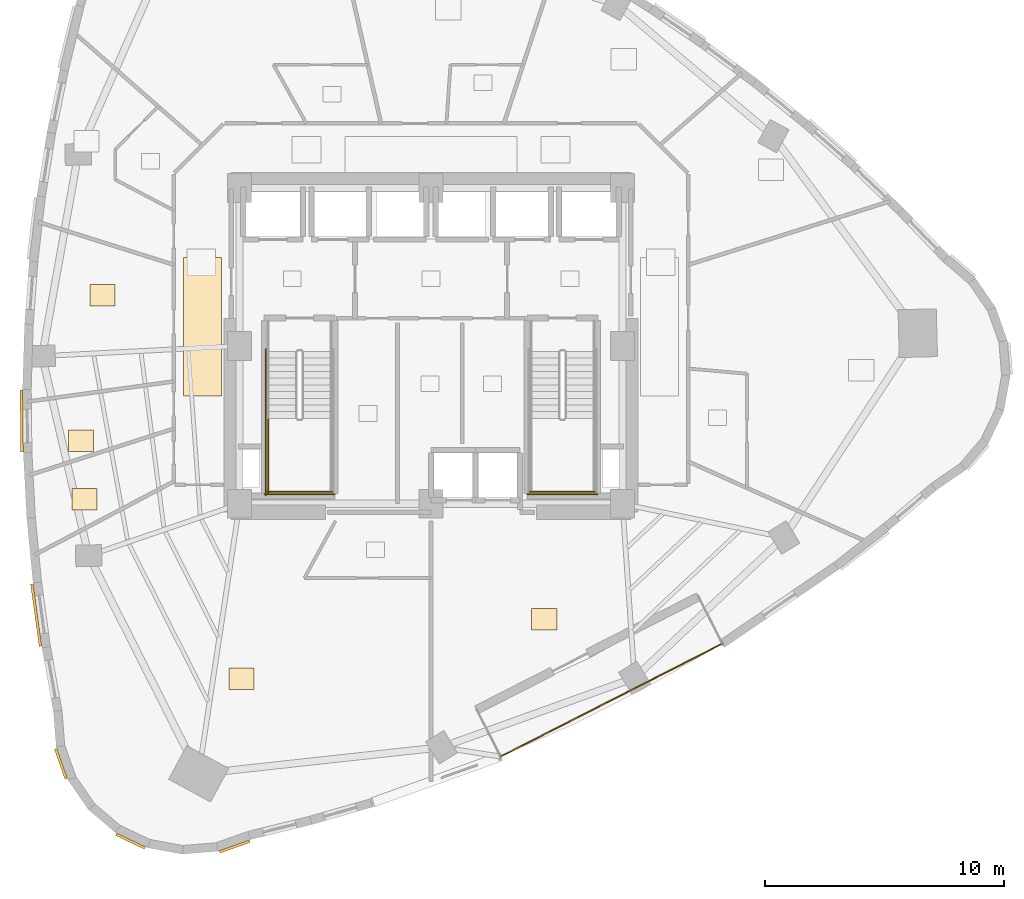
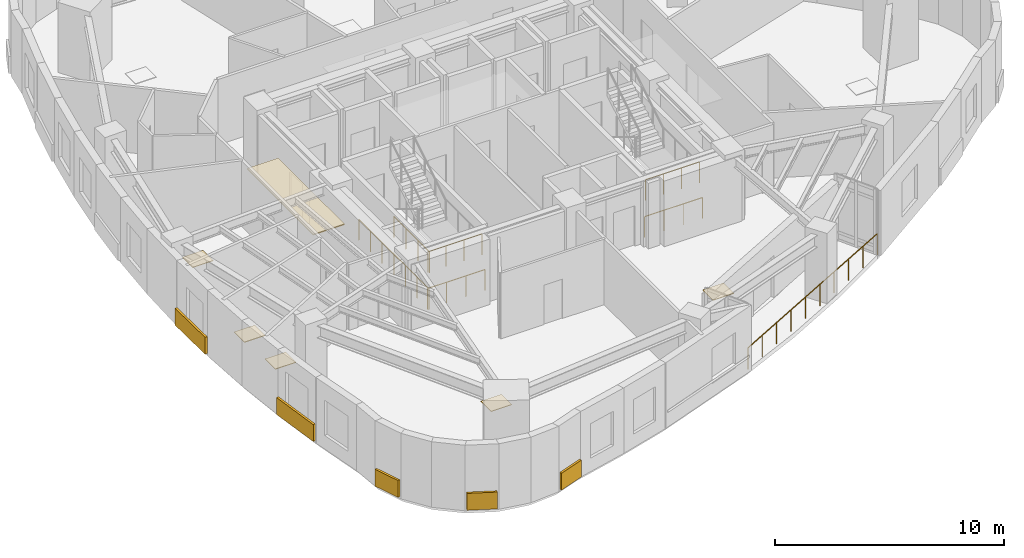
# One storey, part 9 of 11: 11 coverings, 7 railings.
"""IFC4 building model written with IfcOpenShell, lengths in metres."""

import ifcopenshell
import ifcopenshell.guid

model = None  # the IFC model being written
_history = None  # IfcOwnerHistory: only IFC2X3 demands one
_inside = {}  # id of a spatial element -> (the spatial element, [elements in it])
_under = {}  # id of a project, library or spatial element -> (it, [spatial elements below it])
_declared = {}  # id of a project -> (the project, [libraries it declares])
_typed = {}  # id of a type object -> (the type object, [elements of that type])
_made_of = {}  # id of a material, layer set ... -> (it, [elements and type objects made of it])


def new_model(schema):
    """Start an empty IFC model of exactly this schema.

    Asked for "IFC4X3", IfcOpenShell would pick the latest addendum, in which some entities
    have other attributes; the version numbers below select the first issue.
    IFC2X3 requires an IfcOwnerHistory on every rooted entity: one is made here for all.
    """
    global model, _history
    if schema == "IFC4X3":
        model = ifcopenshell.file(schema_version=(4, 3, 0, 0))
    else:
        model = ifcopenshell.file(schema=schema)
    _inside.clear()
    _under.clear()
    _declared.clear()
    _typed.clear()
    _made_of.clear()
    _history = None
    if model.schema == "IFC2X3":
        org = make("IfcOrganization", Name="unknown")
        user = make(
            "IfcPersonAndOrganization",
            ThePerson=make("IfcPerson", FamilyName="unknown"),
            TheOrganization=org,
        )
        app = make(
            "IfcApplication",
            ApplicationDeveloper=org,
            Version="unknown",
            ApplicationFullName="unknown",
            ApplicationIdentifier="unknown",
        )
        _history = make(
            "IfcOwnerHistory",
            OwningUser=user,
            OwningApplication=app,
            ChangeAction="ADDED",
            CreationDate=0,
        )
    return model


def make(cls, **values):
    """One entity of the class cls with the attributes given. An attribute that is None is left unset."""
    return model.create_entity(
        cls, **{name: value for name, value in values.items() if value is not None}
    )


def rooted(cls, **values):
    """An entity with a GlobalId (a new one), such as an element, a storey or a relation."""
    return make(cls, GlobalId=ifcopenshell.guid.new(), OwnerHistory=_history, **values)


def si_unit(unit_type, name, prefix=None):
    """IfcSIUnit, for example si_unit("LENGTHUNIT", "METRE", prefix="MILLI")."""
    return make("IfcSIUnit", UnitType=unit_type, Prefix=prefix, Name=name)


def assignment(units):
    """IfcUnitAssignment: the units of a project."""
    return None if units is None else make("IfcUnitAssignment", Units=units)


def point(xyz):
    """IfcCartesianPoint."""
    return None if xyz is None else make("IfcCartesianPoint", Coordinates=xyz)


def direction(xyz):
    """IfcDirection."""
    return None if xyz is None else make("IfcDirection", DirectionRatios=xyz)


def frame(location, z_axis=None, x_axis=None):
    """IfcAxis2Placement3D, a coordinate frame: its origin and axes. An axis left out is left unset."""
    return make(
        "IfcAxis2Placement3D",
        Location=point(location),
        Axis=direction(z_axis),
        RefDirection=direction(x_axis),
    )


def frame_2d(location, x_axis=None):
    """IfcAxis2Placement2D, a coordinate frame in the plane: its origin and x axis."""
    return make(
        "IfcAxis2Placement2D", Location=point(location), RefDirection=direction(x_axis)
    )


def origin():
    """The frame at (0, 0, 0) with its axes left unset."""
    return frame((0.0, 0.0, 0.0))


def origin_2d():
    """The frame at (0, 0) in the plane with its x axis left unset."""
    return frame_2d((0.0, 0.0))


def place(relative_to, where):
    """IfcLocalPlacement: puts the frame where relative to a parent placement (None: the world)."""
    return make(
        "IfcLocalPlacement", PlacementRelTo=relative_to, RelativePlacement=where
    )


def context(
    kind, dimensions, precision=None, world=None, true_north=None, identifier=None
):
    """IfcGeometricRepresentationContext, for example the 3D "Model" context."""
    return make(
        "IfcGeometricRepresentationContext",
        ContextIdentifier=identifier,
        ContextType=kind,
        CoordinateSpaceDimension=dimensions,
        Precision=precision,
        WorldCoordinateSystem=world,
        TrueNorth=true_north,
    )


def subcontext(parent, identifier, kind, view, scale=None):
    """IfcGeometricRepresentationSubContext, for example "Body" below "Model"."""
    return make(
        "IfcGeometricRepresentationSubContext",
        ContextIdentifier=identifier,
        ContextType=kind,
        ParentContext=parent,
        TargetScale=scale,
        TargetView=view,
    )


def project(units=None, contexts=None):
    """IfcProject with its units and contexts."""
    return rooted(
        "IfcProject",
        Name="project",
        RepresentationContexts=contexts,
        UnitsInContext=assignment(units),
    )


def spatial(cls, under=None, at=None, **own):
    """A site, building, storey or space (cls), placed at a placement, below another one or the project."""
    s = rooted(cls, ObjectPlacement=at, **own)
    if under is not None:
        _under.setdefault(under.id(), (under, []))[1].append(s)
    return s


def profile(cls, at=None, kind="AREA", **sizes):
    """A parametric profile (cls). Its sizes go by their IFC names, for example OverallWidth=200.0."""
    return make(cls, ProfileType=kind, Position=at, **sizes)


def rectangle(**sizes):
    """IfcRectangleProfileDef."""
    return profile("IfcRectangleProfileDef", **sizes)


def circle(**sizes):
    """IfcCircleProfileDef."""
    return profile("IfcCircleProfileDef", **sizes)


def extrude(swept, where, along, depth):
    """IfcExtrudedAreaSolid: the profile swept, set in the frame where, extruded along a direction by depth."""
    return make(
        "IfcExtrudedAreaSolid",
        SweptArea=swept,
        Position=where,
        ExtrudedDirection=direction(along),
        Depth=depth,
    )


def shape(context_of_items, identifier, shape_type, items):
    """IfcShapeRepresentation: the items that make up one representation, for example the "Body"."""
    return make(
        "IfcShapeRepresentation",
        ContextOfItems=context_of_items,
        RepresentationIdentifier=identifier,
        RepresentationType=shape_type,
        Items=items,
    )


def material(Name=None, Category=None):
    """IfcMaterial."""
    return make("IfcMaterial", Name=Name, Category=Category)


def layer(
    of_material, thickness, ventilated=None, Name=None, Category=None, Priority=None
):
    """IfcMaterialLayer: one layer of a wall or slab, of a material (None: an air gap)."""
    return make(
        "IfcMaterialLayer",
        Material=of_material,
        LayerThickness=thickness,
        IsVentilated=ventilated,
        Name=Name,
        Category=Category,
        Priority=Priority,
    )


def layer_set(layers, Name=None):
    """IfcMaterialLayerSet."""
    return make("IfcMaterialLayerSet", MaterialLayers=layers, LayerSetName=Name)


def made_of(thing, what):
    """Note that an element or type object is made of a material, layer set ...; save() writes the relation."""
    if what is not None:
        _made_of.setdefault(what.id(), (what, []))[1].append(thing)
    return thing


def type_object(cls, material=None, **own):
    """A type object (cls), such as IfcWallType, which elements share."""
    return made_of(rooted(cls, **own), material)


def element(
    cls,
    number,
    at=None,
    inside=None,
    cuts=None,
    type_object=None,
    material=None,
    context=None,
    identifier="Body",
    shape_type=None,
    held_by="IfcProductDefinitionShape",
    body=None,
    shapes=None,
    **own,
):
    """One element of the class cls, such as IfcWall. Its Tag is "e" and its number.

    at: its placement. inside: the storey or other place that contains it. cuts: it is an
    opening in that element (IfcRelVoidsElement). A single representation is given by context,
    identifier, shape_type and body (its items); several are given by shapes. held_by: the class
    of the entity that holds the representations. save() writes the other relations.
    """
    e = rooted(cls, Tag="e%d" % number, ObjectPlacement=at, **own)
    if body is not None:
        shapes = [shape(context, identifier, shape_type, body)]
    if shapes is not None:
        e.Representation = make(held_by, Representations=shapes)
    if inside is not None:
        _inside.setdefault(inside.id(), (inside, []))[1].append(e)
    if cuts is not None:
        rooted(
            "IfcRelVoidsElement", RelatingBuildingElement=cuts, RelatedOpeningElement=e
        )
    if type_object is not None:
        _typed.setdefault(type_object.id(), (type_object, []))[1].append(e)
    return made_of(e, material)


def aggregate(whole, parts):
    """IfcRelAggregates: a whole, such as a stair, and the parts it consists of."""
    return rooted("IfcRelAggregates", RelatingObject=whole, RelatedObjects=parts)


def save(model, path):
    """Write the relations noted so far, then the file.

    IfcRelAggregates (storeys below a building ...), IfcRelContainedInSpatialStructure (elements
    in a storey), IfcRelDefinesByType, IfcRelAssociatesMaterial and IfcRelDeclares: one each for
    every whole, place, type object, material and project.
    """
    for whole, parts in _under.values():
        aggregate(whole, parts)
    for where, things in _inside.values():
        rooted(
            "IfcRelContainedInSpatialStructure",
            RelatedElements=things,
            RelatingStructure=where,
        )
    for kind, things in _typed.values():
        rooted("IfcRelDefinesByType", RelatedObjects=things, RelatingType=kind)
    for what, things in _made_of.values():
        rooted("IfcRelAssociatesMaterial", RelatedObjects=things, RelatingMaterial=what)
    for by, libraries in _declared.values():
        rooted("IfcRelDeclares", RelatingContext=by, RelatedDefinitions=libraries)
    model.write(path)


model = new_model("IFC4")

# Units and contexts
model_context = context("Model", 3, precision=1e-05, world=origin(), true_north=direction((0.0, 1.0)))
body_context = subcontext(model_context, "Body", "Model", "MODEL_VIEW")
ifc_project = project(units=[si_unit("LENGTHUNIT", "METRE"), si_unit("AREAUNIT", "SQUARE_METRE"), si_unit("VOLUMEUNIT", "CUBIC_METRE"), si_unit("PLANEANGLEUNIT", "RADIAN"), si_unit("MASSUNIT", "GRAM", prefix="KILO")], contexts=[model_context])

# Site, building, storey
site_placement = place(None, origin())
site = spatial("IfcSite", under=ifc_project, at=site_placement, CompositionType="ELEMENT")
building_placement = place(site_placement, origin())
building = spatial("IfcBuilding", under=site, at=building_placement, Name="Ndelora Gate Hotel", CompositionType="ELEMENT")
storey_placement = place(building_placement, frame((0.0, 0.0, 108.5)))
storey = spatial("IfcBuildingStorey", under=building, at=storey_placement, Name="L26", CompositionType="ELEMENT", Elevation=108.5)

# Coverings
ifc_material_1 = material(Name="Perforated Acoustic Gypsum Board", Category="gypsum")
ifc_layer_1 = layer(ifc_material_1, 0.054931640625)
ifc_layer_set_1 = layer_set([ifc_layer_1], Name="Perforated Acoustic Gypsum Board")
covering_type_1 = type_object("IfcCoveringType", Name="COV-CEIL-AC60", PredefinedType="CEILING", material=ifc_layer_set_1)
covering_1_placement = place(storey_placement, frame((-9.550048828125, 0.800048828125, 2.65234375), z_axis=(0.0, 0.0, 1.0), x_axis=(1.0, 0.0, 0.0)))
element("IfcCovering", 1, at=covering_1_placement, inside=storey, type_object=covering_type_1, Name="L26 Guest Corridor Acoustic Ceiling W", PredefinedType="CEILING", context=body_context, shape_type="SweptSolid", body=[
    extrude(rectangle(XDim=1.580078125, YDim=5.800048828125, at=origin_2d()), origin(), (0.0, 0.0, 1.0), 0.054931640625),
])
ifc_material_2 = material(Name="Terracotta Fired Clay Brick Slip Cladding", Category="masonry")
ifc_layer_2 = layer(ifc_material_2, 0.110107421875)
ifc_layer_set_2 = layer_set([ifc_layer_2], Name="Terracotta Fired Clay Brick Slip Cladding")
covering_type_2 = type_object("IfcCoveringType", Name="COV-CLAD-BRK", PredefinedType="CLADDING", material=ifc_layer_set_2)
covering_2_placement = place(storey_placement, frame((-17.108642578125, -3.14208984375, 0.10009765625), z_axis=(0.0, 0.0, 1.0), x_axis=(-0.011344396795, 0.99993565026, 0.0)))
element("IfcCovering", 2, at=covering_2_placement, inside=storey, type_object=covering_type_2, Name="L26 Rounded-Corner Brick Cladding Band 16", PredefinedType="CLADDING", context=body_context, shape_type="SweptSolid", body=[
    extrude(rectangle(XDim=2.583984375, YDim=0.110107421875, at=origin_2d()), origin(), (0.0, 0.0, 1.0), 0.89990234375),
])
covering_3_placement = place(storey_placement, frame((-16.503662109375, -11.250732421875, 0.10009765625), z_axis=(0.0, 0.0, 1.0), x_axis=(-0.136234308163, 0.990676644158, 0.0)))
element("IfcCovering", 3, at=covering_3_placement, inside=storey, type_object=covering_type_2, Name="L26 Rounded-Corner Brick Cladding Band 19", PredefinedType="CLADDING", context=body_context, shape_type="SweptSolid", body=[
    extrude(rectangle(XDim=2.6279296875, YDim=0.110107421875, at=origin_2d()), origin(), (0.0, 0.0, 1.0), 0.89990234375),
])
for number, where, z_axis, x_axis, name in (
    (4, (-15.468994140625, -17.464111328125, 0.10009765625), (0.0, 0.0, 1.0), (-0.333806859234, 0.942641491092, 0.0), "L26 Rounded-Corner Brick Cladding Band 22"),
    (5, (-12.556884765625, -20.698486328125, 0.10009765625), (0.0, 0.0, 1.0), (-0.90258528435, 0.430511096808, 0.0), "L26 Rounded-Corner Brick Cladding Band 25"),
    (6, (-8.21044921875, -20.92626953125, 0.10009765625), (0.0, 0.0, 1.0), (0.942641491092, 0.333806859234, 0.0), "L26 Rounded-Corner Brick Cladding Band 28"),
):
    element("IfcCovering", number, at=place(storey_placement, frame(where, z_axis=z_axis, x_axis=x_axis)), inside=storey, type_object=covering_type_2, Name=name, PredefinedType="CLADDING", context=body_context, shape_type="SweptSolid", body=[
        extrude(rectangle(XDim=1.3359375, YDim=0.110107421875, at=origin_2d()), origin(), (0.0, 0.0, 1.0), 0.89990234375),
    ])
ifc_material_3 = material(Name="Engineered Highland Oak Parquet", Category="wood")
ifc_layer_3 = layer(ifc_material_3, 0.030029296875)
ifc_layer_set_3 = layer_set([ifc_layer_3], Name="Engineered Highland Oak Parquet")
covering_type_3 = type_object("IfcCoveringType", Name="COV-FLR-PARQ", PredefinedType="FLOORING", material=ifc_layer_set_3)
for number, where, z_axis, x_axis, name in (
    (7, (-7.922119140625, -13.91748046875, 0.0), (0.0, 0.0, 1.0), (1.0, 0.0, 0.0), "L26 Club Executive Suite 2901 Oak Parquet Flooring"),
    (8, (4.731201171875, -11.42529296875, 0.0), (0.0, 0.0, 1.0), (1.0, 0.0, 0.0), "L26 Sky Garden Tea Dining Room Oak Parquet Flooring"),
    (9, (-13.73291015625, 2.12060546875, 0.0), (0.0, 0.0, 1.0), (1.0, 0.0, 0.0), "L26 Club Study Office Oak Parquet Flooring"),
    (10, (-14.625244140625, -3.95458984375, 0.0), (0.0, 0.0, 1.0), (1.0, 0.0, 0.0), "L26 Housekeeping and Linen Room Oak Parquet Flooring"),
    (11, (-14.4765625, -6.40625, 0.0), (0.0, 0.0, 1.0), (1.0, 0.0, 0.0), "L26 Accessible WC Oak Parquet Flooring"),
):
    element("IfcCovering", number, at=place(storey_placement, frame(where, z_axis=z_axis, x_axis=x_axis)), inside=storey, type_object=covering_type_3, Name=name, PredefinedType="FLOORING", context=body_context, shape_type="SweptSolid", body=[
        extrude(rectangle(XDim=1.050048828125, YDim=0.89990234375, at=origin_2d()), origin(), (0.0, 0.0, 1.0), 0.030029296875),
    ])

# Railings
ifc_material_4 = material(Name="Laminated Safety Glass and Bronze Top Rail", Category="glass")
ifc_layer_4 = layer(ifc_material_4, 0.070068359375)
ifc_layer_set_4 = layer_set([ifc_layer_4], Name="Laminated Safety Glass and Bronze Top Rail")
railing_type_1 = type_object("IfcRailingType", Name="RL-BAL-1150", PredefinedType="BALUSTRADE", material=ifc_layer_set_4)
railing_1_placement = place(storey_placement, frame((2.91015625, -17.165283203125, 0.0)))
element("IfcRailing", 12, at=railing_1_placement, inside=storey, type_object=railing_type_1, Name="L26 Sky-Garden Loggia Terrace Balustrade", PredefinedType="BALUSTRADE", context=body_context, shape_type="SweptSolid", body=[
    extrude(circle(Radius=0.02392578125, at=origin_2d()), frame((0.0, 0.0, 1.1357421875), z_axis=(0.891006889171, 0.453989783419, 0.0), x_axis=(-0.453989783419, 0.891006889171, 0.0)), (0.0, 0.0, 1.0), 10.39990234375),
    extrude(circle(Radius=0.02099609375, at=origin_2d()), origin(), (0.0, 0.0, 1.0), 1.11181640625),
    extrude(circle(Radius=0.02099609375, at=origin_2d()), frame((1.029541015625, 0.524658203125, 0.0)), (0.0, 0.0, 1.0), 1.11181640625),
    extrude(circle(Radius=0.02099609375, at=origin_2d()), frame((2.05908203125, 1.04931640625, 0.0)), (0.0, 0.0, 1.0), 1.11181640625),
    extrude(circle(Radius=0.02099609375, at=origin_2d()), frame((3.0888671875, 1.57373046875, 0.0)), (0.0, 0.0, 1.0), 1.11181640625),
    extrude(circle(Radius=0.02099609375, at=origin_2d()), frame((4.118408203125, 2.098388671875, 0.0)), (0.0, 0.0, 1.0), 1.11181640625),
    extrude(circle(Radius=0.02099609375, at=origin_2d()), frame((5.14794921875, 2.623046875, 0.0)), (0.0, 0.0, 1.0), 1.11181640625),
    extrude(circle(Radius=0.02099609375, at=origin_2d()), frame((6.177490234375, 3.147705078125, 0.0)), (0.0, 0.0, 1.0), 1.11181640625),
    extrude(circle(Radius=0.02099609375, at=origin_2d()), frame((7.207275390625, 3.672119140625, 0.0)), (0.0, 0.0, 1.0), 1.11181640625),
    extrude(circle(Radius=0.02099609375, at=origin_2d()), frame((8.23681640625, 4.19677734375, 0.0)), (0.0, 0.0, 1.0), 1.11181640625),
    extrude(circle(Radius=0.02099609375, at=origin_2d()), frame((9.266357421875, 4.721435546875, 0.0)), (0.0, 0.0, 1.0), 1.11181640625),
])
ifc_material_5 = material(Name="Painted Galvanized Steel Balustrade", Category="steel")
ifc_layer_5 = layer(ifc_material_5, 0.06005859375)
ifc_layer_set_5 = layer_set([ifc_layer_5], Name="Painted Galvanized Steel Balustrade")
railing_type_2 = type_object("IfcRailingType", Name="RL-STAIR-GD", PredefinedType="GUARDRAIL", material=ifc_layer_set_5)
railing_2_placement = place(storey_placement, frame((-6.800048828125, -3.030029296875, 1.875)))
element("IfcRailing", 13, at=railing_2_placement, inside=storey, type_object=railing_type_2, Name="L26 ST4 stair guard 3", PredefinedType="GUARDRAIL", context=body_context, shape_type="SweptSolid", body=[
    extrude(circle(Radius=0.02392578125, at=origin_2d()), frame((0.0, 0.0, 1.10595703125), z_axis=(0.0, -1.0, 0.0), x_axis=(1.0, 0.0, 0.0)), (0.0, 0.0, 1.0), 3.119873046875),
    extrude(circle(Radius=0.02099609375, at=origin_2d()), origin(), (0.0, 0.0, 1.0), 1.081787109375),
    extrude(circle(Radius=0.02099609375, at=origin_2d()), frame((0.0, -1.0400390625, 0.0)), (0.0, 0.0, 1.0), 1.081787109375),
    extrude(circle(Radius=0.02099609375, at=origin_2d()), frame((0.0, -2.079833984375, 0.0)), (0.0, 0.0, 1.0), 1.081787109375),
    extrude(circle(Radius=0.02099609375, at=origin_2d()), frame((0.0, -3.119873046875, 0.0)), (0.0, 0.0, 1.0), 1.081787109375),
])
railing_3_placement = place(storey_placement, frame((-6.85009765625, -6.10009765625, 1.875)))
element("IfcRailing", 14, at=railing_3_placement, inside=storey, type_object=railing_type_2, Name="L26 ST4 stair guard 5", PredefinedType="GUARDRAIL", context=body_context, shape_type="SweptSolid", body=[
    extrude(circle(Radius=0.02392578125, at=origin_2d()), frame((0.0, 0.0, 1.10595703125), z_axis=(1.0, 0.0, 0.0), x_axis=(0.0, 1.0, 0.0)), (0.0, 0.0, 1.0), 2.72021484375),
    extrude(circle(Radius=0.02099609375, at=origin_2d()), origin(), (0.0, 0.0, 1.0), 1.081787109375),
    extrude(circle(Radius=0.02099609375, at=origin_2d()), frame((0.90673828125, 0.0, 0.0)), (0.0, 0.0, 1.0), 1.081787109375),
    extrude(circle(Radius=0.02099609375, at=origin_2d()), frame((1.8134765625, 0.0, 0.0)), (0.0, 0.0, 1.0), 1.081787109375),
    extrude(circle(Radius=0.02099609375, at=origin_2d()), frame((2.72021484375, 0.0, 0.0)), (0.0, 0.0, 1.0), 1.081787109375),
])
railing_4_placement = place(storey_placement, frame((-6.89990234375, -0.1298828125, 0.0)))
element("IfcRailing", 15, at=railing_4_placement, inside=storey, type_object=railing_type_2, Name="L26 ST4 stair guard 10", PredefinedType="GUARDRAIL", context=body_context, shape_type="SweptSolid", body=[
    extrude(circle(Radius=0.02392578125, at=origin_2d()), frame((0.0, 0.0, 1.10595703125), z_axis=(0.0, -1.0, 0.0), x_axis=(1.0, 0.0, 0.0)), (0.0, 0.0, 1.0), 6.1201171875),
    extrude(circle(Radius=0.02099609375, at=origin_2d()), origin(), (0.0, 0.0, 1.0), 1.081787109375),
    extrude(circle(Radius=0.02099609375, at=origin_2d()), frame((0.0, -1.02001953125, 0.0)), (0.0, 0.0, 1.0), 1.081787109375),
    extrude(circle(Radius=0.02099609375, at=origin_2d()), frame((0.0, -2.0400390625, 0.0)), (0.0, 0.0, 1.0), 1.081787109375),
    extrude(circle(Radius=0.02099609375, at=origin_2d()), frame((0.0, -3.06005859375, 0.0)), (0.0, 0.0, 1.0), 1.081787109375),
    extrude(circle(Radius=0.02099609375, at=origin_2d()), frame((0.0, -4.080078125, 0.0)), (0.0, 0.0, 1.0), 1.081787109375),
    extrude(circle(Radius=0.02099609375, at=origin_2d()), frame((0.0, -5.10009765625, 0.0)), (0.0, 0.0, 1.0), 1.081787109375),
    extrude(circle(Radius=0.02099609375, at=origin_2d()), frame((0.0, -6.1201171875, 0.0)), (0.0, 0.0, 1.0), 1.081787109375),
])
railing_5_placement = place(storey_placement, frame((-6.949951171875, -6.199951171875, 0.0)))
element("IfcRailing", 16, at=railing_5_placement, inside=storey, type_object=railing_type_2, Name="L26 ST4 stair guard 12", PredefinedType="GUARDRAIL", context=body_context, shape_type="SweptSolid", body=[
    extrude(circle(Radius=0.02392578125, at=origin_2d()), frame((0.0, 0.0, 1.10595703125), z_axis=(1.0, 0.0, 0.0), x_axis=(0.0, 1.0, 0.0)), (0.0, 0.0, 1.0), 2.919921875),
    extrude(circle(Radius=0.02099609375, at=origin_2d()), origin(), (0.0, 0.0, 1.0), 1.081787109375),
    extrude(circle(Radius=0.02099609375, at=origin_2d()), frame((0.973388671875, 0.0, 0.0)), (0.0, 0.0, 1.0), 1.081787109375),
    extrude(circle(Radius=0.02099609375, at=origin_2d()), frame((1.946533203125, 0.0, 0.0)), (0.0, 0.0, 1.0), 1.081787109375),
    extrude(circle(Radius=0.02099609375, at=origin_2d()), frame((2.919921875, 0.0, 0.0)), (0.0, 0.0, 1.0), 1.081787109375),
])
railing_6_placement = place(storey_placement, frame((4.1298828125, -6.10009765625, 1.875)))
element("IfcRailing", 17, at=railing_6_placement, inside=storey, type_object=railing_type_2, Name="L26 ST5 stair guard 5", PredefinedType="GUARDRAIL", context=body_context, shape_type="SweptSolid", body=[
    extrude(circle(Radius=0.02392578125, at=origin_2d()), frame((0.0, 0.0, 1.10595703125), z_axis=(1.0, 0.0, 0.0), x_axis=(0.0, 1.0, 0.0)), (0.0, 0.0, 1.0), 2.72021484375),
    extrude(circle(Radius=0.02099609375, at=origin_2d()), origin(), (0.0, 0.0, 1.0), 1.081787109375),
    extrude(circle(Radius=0.02099609375, at=origin_2d()), frame((0.90673828125, 0.0, 0.0)), (0.0, 0.0, 1.0), 1.081787109375),
    extrude(circle(Radius=0.02099609375, at=origin_2d()), frame((1.8134765625, 0.0, 0.0)), (0.0, 0.0, 1.0), 1.081787109375),
    extrude(circle(Radius=0.02099609375, at=origin_2d()), frame((2.72021484375, 0.0, 0.0)), (0.0, 0.0, 1.0), 1.081787109375),
])
railing_7_placement = place(storey_placement, frame((4.030029296875, -6.199951171875, 0.0)))
element("IfcRailing", 18, at=railing_7_placement, inside=storey, type_object=railing_type_2, Name="L26 ST5 stair guard 12", PredefinedType="GUARDRAIL", context=body_context, shape_type="SweptSolid", body=[
    extrude(circle(Radius=0.02392578125, at=origin_2d()), frame((0.0, 0.0, 1.10595703125), z_axis=(1.0, 0.0, 0.0), x_axis=(0.0, 1.0, 0.0)), (0.0, 0.0, 1.0), 2.919921875),
    extrude(circle(Radius=0.02099609375, at=origin_2d()), origin(), (0.0, 0.0, 1.0), 1.081787109375),
    extrude(circle(Radius=0.02099609375, at=origin_2d()), frame((0.973388671875, 0.0, 0.0)), (0.0, 0.0, 1.0), 1.081787109375),
    extrude(circle(Radius=0.02099609375, at=origin_2d()), frame((1.946533203125, 0.0, 0.0)), (0.0, 0.0, 1.0), 1.081787109375),
    extrude(circle(Radius=0.02099609375, at=origin_2d()), frame((2.919921875, 0.0, 0.0)), (0.0, 0.0, 1.0), 1.081787109375),
])

save(model, "model.ifc")
